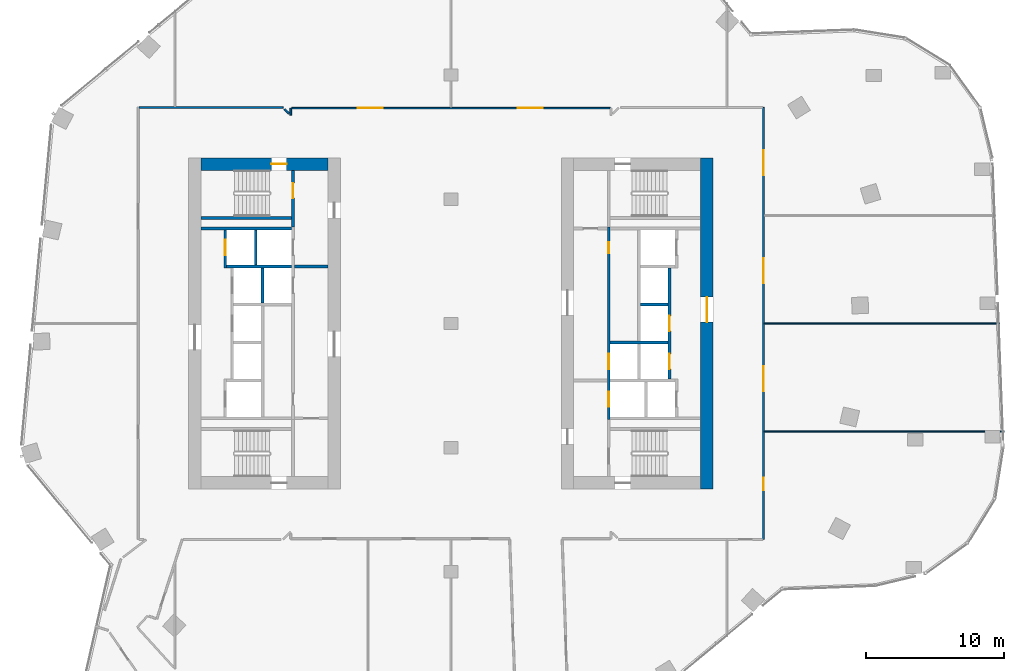
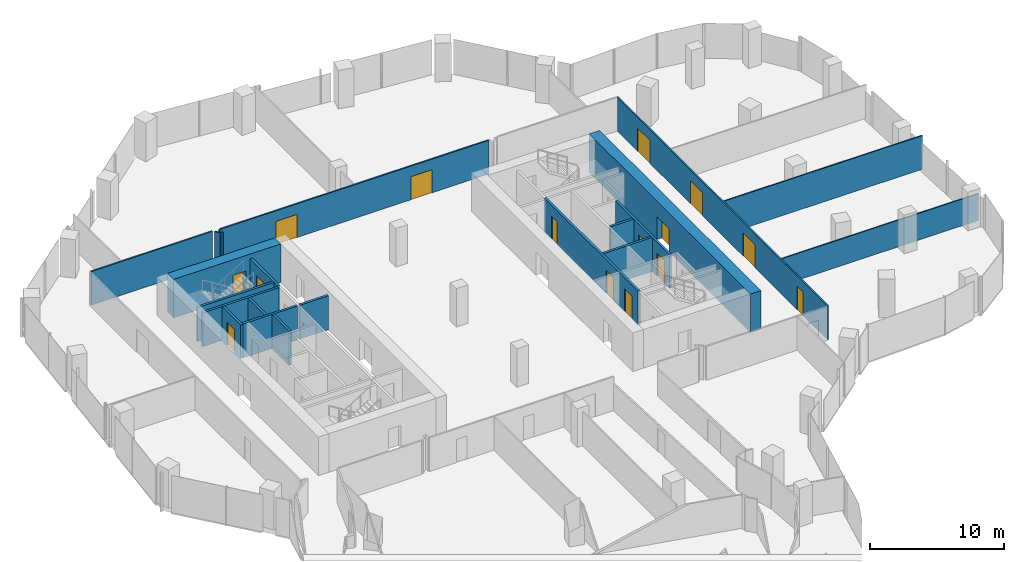
# One storey, part 21 of 23: 21 walls, 15 doors, 15 openings.
"""IFC4 building model written with IfcOpenShell, lengths in metres."""

import ifcopenshell
import ifcopenshell.guid

model = None  # the IFC model being written
_history = None  # IfcOwnerHistory: only IFC2X3 demands one
_inside = {}  # id of a spatial element -> (the spatial element, [elements in it])
_under = {}  # id of a project, library or spatial element -> (it, [spatial elements below it])
_declared = {}  # id of a project -> (the project, [libraries it declares])
_typed = {}  # id of a type object -> (the type object, [elements of that type])
_made_of = {}  # id of a material, layer set ... -> (it, [elements and type objects made of it])


def new_model(schema):
    """Start an empty IFC model of exactly this schema.

    Asked for "IFC4X3", IfcOpenShell would pick the latest addendum, in which some entities
    have other attributes; the version numbers below select the first issue.
    IFC2X3 requires an IfcOwnerHistory on every rooted entity: one is made here for all.
    """
    global model, _history
    if schema == "IFC4X3":
        model = ifcopenshell.file(schema_version=(4, 3, 0, 0))
    else:
        model = ifcopenshell.file(schema=schema)
    _inside.clear()
    _under.clear()
    _declared.clear()
    _typed.clear()
    _made_of.clear()
    _history = None
    if model.schema == "IFC2X3":
        org = make("IfcOrganization", Name="unknown")
        user = make(
            "IfcPersonAndOrganization",
            ThePerson=make("IfcPerson", FamilyName="unknown"),
            TheOrganization=org,
        )
        app = make(
            "IfcApplication",
            ApplicationDeveloper=org,
            Version="unknown",
            ApplicationFullName="unknown",
            ApplicationIdentifier="unknown",
        )
        _history = make(
            "IfcOwnerHistory",
            OwningUser=user,
            OwningApplication=app,
            ChangeAction="ADDED",
            CreationDate=0,
        )
    return model


def make(cls, **values):
    """One entity of the class cls with the attributes given. An attribute that is None is left unset."""
    return model.create_entity(
        cls, **{name: value for name, value in values.items() if value is not None}
    )


def rooted(cls, **values):
    """An entity with a GlobalId (a new one), such as an element, a storey or a relation."""
    return make(cls, GlobalId=ifcopenshell.guid.new(), OwnerHistory=_history, **values)


def si_unit(unit_type, name, prefix=None):
    """IfcSIUnit, for example si_unit("LENGTHUNIT", "METRE", prefix="MILLI")."""
    return make("IfcSIUnit", UnitType=unit_type, Prefix=prefix, Name=name)


def assignment(units):
    """IfcUnitAssignment: the units of a project."""
    return None if units is None else make("IfcUnitAssignment", Units=units)


def point(xyz):
    """IfcCartesianPoint."""
    return None if xyz is None else make("IfcCartesianPoint", Coordinates=xyz)


def direction(xyz):
    """IfcDirection."""
    return None if xyz is None else make("IfcDirection", DirectionRatios=xyz)


def frame(location, z_axis=None, x_axis=None):
    """IfcAxis2Placement3D, a coordinate frame: its origin and axes. An axis left out is left unset."""
    return make(
        "IfcAxis2Placement3D",
        Location=point(location),
        Axis=direction(z_axis),
        RefDirection=direction(x_axis),
    )


def frame_2d(location, x_axis=None):
    """IfcAxis2Placement2D, a coordinate frame in the plane: its origin and x axis."""
    return make(
        "IfcAxis2Placement2D", Location=point(location), RefDirection=direction(x_axis)
    )


def origin():
    """The frame at (0, 0, 0) with its axes left unset."""
    return frame((0.0, 0.0, 0.0))


def place(relative_to, where):
    """IfcLocalPlacement: puts the frame where relative to a parent placement (None: the world)."""
    return make(
        "IfcLocalPlacement", PlacementRelTo=relative_to, RelativePlacement=where
    )


def context(
    kind, dimensions, precision=None, world=None, true_north=None, identifier=None
):
    """IfcGeometricRepresentationContext, for example the 3D "Model" context."""
    return make(
        "IfcGeometricRepresentationContext",
        ContextIdentifier=identifier,
        ContextType=kind,
        CoordinateSpaceDimension=dimensions,
        Precision=precision,
        WorldCoordinateSystem=world,
        TrueNorth=true_north,
    )


def subcontext(parent, identifier, kind, view, scale=None):
    """IfcGeometricRepresentationSubContext, for example "Body" below "Model"."""
    return make(
        "IfcGeometricRepresentationSubContext",
        ContextIdentifier=identifier,
        ContextType=kind,
        ParentContext=parent,
        TargetScale=scale,
        TargetView=view,
    )


def project(units=None, contexts=None):
    """IfcProject with its units and contexts."""
    return rooted(
        "IfcProject",
        Name="project",
        RepresentationContexts=contexts,
        UnitsInContext=assignment(units),
    )


def spatial(cls, under=None, at=None, **own):
    """A site, building, storey or space (cls), placed at a placement, below another one or the project."""
    s = rooted(cls, ObjectPlacement=at, **own)
    if under is not None:
        _under.setdefault(under.id(), (under, []))[1].append(s)
    return s


def profile(cls, at=None, kind="AREA", **sizes):
    """A parametric profile (cls). Its sizes go by their IFC names, for example OverallWidth=200.0."""
    return make(cls, ProfileType=kind, Position=at, **sizes)


def rectangle(**sizes):
    """IfcRectangleProfileDef."""
    return profile("IfcRectangleProfileDef", **sizes)


def extrude(swept, where, along, depth):
    """IfcExtrudedAreaSolid: the profile swept, set in the frame where, extruded along a direction by depth."""
    return make(
        "IfcExtrudedAreaSolid",
        SweptArea=swept,
        Position=where,
        ExtrudedDirection=direction(along),
        Depth=depth,
    )


def shape(context_of_items, identifier, shape_type, items):
    """IfcShapeRepresentation: the items that make up one representation, for example the "Body"."""
    return make(
        "IfcShapeRepresentation",
        ContextOfItems=context_of_items,
        RepresentationIdentifier=identifier,
        RepresentationType=shape_type,
        Items=items,
    )


def material(Name=None, Category=None):
    """IfcMaterial."""
    return make("IfcMaterial", Name=Name, Category=Category)


def layer(
    of_material, thickness, ventilated=None, Name=None, Category=None, Priority=None
):
    """IfcMaterialLayer: one layer of a wall or slab, of a material (None: an air gap)."""
    return make(
        "IfcMaterialLayer",
        Material=of_material,
        LayerThickness=thickness,
        IsVentilated=ventilated,
        Name=Name,
        Category=Category,
        Priority=Priority,
    )


def layer_set(layers, Name=None):
    """IfcMaterialLayerSet."""
    return make("IfcMaterialLayerSet", MaterialLayers=layers, LayerSetName=Name)


def made_of(thing, what):
    """Note that an element or type object is made of a material, layer set ...; save() writes the relation."""
    if what is not None:
        _made_of.setdefault(what.id(), (what, []))[1].append(thing)
    return thing


def type_object(cls, material=None, **own):
    """A type object (cls), such as IfcWallType, which elements share."""
    return made_of(rooted(cls, **own), material)


def element(
    cls,
    number,
    at=None,
    inside=None,
    cuts=None,
    type_object=None,
    material=None,
    context=None,
    identifier="Body",
    shape_type=None,
    held_by="IfcProductDefinitionShape",
    body=None,
    shapes=None,
    **own,
):
    """One element of the class cls, such as IfcWall. Its Tag is "e" and its number.

    at: its placement. inside: the storey or other place that contains it. cuts: it is an
    opening in that element (IfcRelVoidsElement). A single representation is given by context,
    identifier, shape_type and body (its items); several are given by shapes. held_by: the class
    of the entity that holds the representations. save() writes the other relations.
    """
    e = rooted(cls, Tag="e%d" % number, ObjectPlacement=at, **own)
    if body is not None:
        shapes = [shape(context, identifier, shape_type, body)]
    if shapes is not None:
        e.Representation = make(held_by, Representations=shapes)
    if inside is not None:
        _inside.setdefault(inside.id(), (inside, []))[1].append(e)
    if cuts is not None:
        rooted(
            "IfcRelVoidsElement", RelatingBuildingElement=cuts, RelatedOpeningElement=e
        )
    if type_object is not None:
        _typed.setdefault(type_object.id(), (type_object, []))[1].append(e)
    return made_of(e, material)


def fill(opening, filler):
    """IfcRelFillsElement: the door or window that sits in an opening."""
    return rooted(
        "IfcRelFillsElement",
        RelatingOpeningElement=opening,
        RelatedBuildingElement=filler,
    )


def aggregate(whole, parts):
    """IfcRelAggregates: a whole, such as a stair, and the parts it consists of."""
    return rooted("IfcRelAggregates", RelatingObject=whole, RelatedObjects=parts)


def save(model, path):
    """Write the relations noted so far, then the file.

    IfcRelAggregates (storeys below a building ...), IfcRelContainedInSpatialStructure (elements
    in a storey), IfcRelDefinesByType, IfcRelAssociatesMaterial and IfcRelDeclares: one each for
    every whole, place, type object, material and project.
    """
    for whole, parts in _under.values():
        aggregate(whole, parts)
    for where, things in _inside.values():
        rooted(
            "IfcRelContainedInSpatialStructure",
            RelatedElements=things,
            RelatingStructure=where,
        )
    for kind, things in _typed.values():
        rooted("IfcRelDefinesByType", RelatedObjects=things, RelatingType=kind)
    for what, things in _made_of.values():
        rooted("IfcRelAssociatesMaterial", RelatedObjects=things, RelatingMaterial=what)
    for by, libraries in _declared.values():
        rooted("IfcRelDeclares", RelatingContext=by, RelatedDefinitions=libraries)
    model.write(path)


model = new_model("IFC4")

# Units and contexts
model_context = context("Model", 3, precision=1e-05, world=origin(), true_north=direction((0.0, 1.0)))
body_context = subcontext(model_context, "Body", "Model", "MODEL_VIEW")
ifc_project = project(units=[si_unit("LENGTHUNIT", "METRE"), si_unit("AREAUNIT", "SQUARE_METRE"), si_unit("VOLUMEUNIT", "CUBIC_METRE"), si_unit("PLANEANGLEUNIT", "RADIAN"), si_unit("MASSUNIT", "GRAM", prefix="KILO")], contexts=[model_context])

# Site, building, storey
site_placement = place(None, origin())
site = spatial("IfcSite", under=ifc_project, at=site_placement, CompositionType="ELEMENT")
building_placement = place(site_placement, origin())
building = spatial("IfcBuilding", under=site, at=building_placement, Name="Orlundy Tower", CompositionType="ELEMENT")
storey_placement = place(building_placement, frame((0.0, 0.0, 181.10009765625)))
storey = spatial("IfcBuildingStorey", under=building, at=storey_placement, Name="L47", CompositionType="ELEMENT", Elevation=181.10009765625)

# Wall, opening, door
ifc_material_1 = material(Name="Concrete C70/85", Category="concrete")
ifc_layer_1 = layer(ifc_material_1, 0.89990234375)
ifc_layer_set_1 = layer_set([ifc_layer_1], Name="CORE WALL 900 C70/85")
wall_type_1 = type_object("IfcWallType", Name="CORE WALL 900 C70/85", PredefinedType="SHEAR", material=ifc_layer_set_1)
wall_1_placement = place(storey_placement, frame((-18.10009765625, 11.550048828125, 0.0), z_axis=(0.0, 0.0, 1.0), x_axis=(1.0, 0.0, 0.0)))
wall_1 = element("IfcWall", 1, at=wall_1_placement, inside=storey, type_object=wall_type_1, Name="Core wall W-N L47", PredefinedType="SHEAR", context=body_context, shape_type="SweptSolid", body=[
    extrude(rectangle(XDim=9.2001953125, YDim=0.89990234375, at=frame_2d((4.60009765625, 0.0))), origin(), (0.0, 0.0, 1.0), 3.5),
])
opening_1_placement = place(wall_1_placement, frame((5.10009765625, 0.0, 0.0)))
opening_1 = element("IfcOpeningElement", 2, at=opening_1_placement, cuts=wall_1, Name="Opening 36011", PredefinedType="OPENING", context=body_context, shape_type="SweptSolid", body=[
    extrude(rectangle(XDim=1.10009765625, YDim=2.10009765625, at=frame_2d((0.550048828125, 1.050048828125))), frame((0.0, 0.4599609375, 0.0), z_axis=(0.0, -1.0, 0.0), x_axis=(1.0, 0.0, 0.0)), (0.0, 0.0, 1.0), 0.919921875),
])
ifc_material_2 = material(Name="Steel door set", Category="steel")
door_type_1 = type_object("IfcDoorType", Name="Stair Door 1100x2100", OperationType="SINGLE_SWING_LEFT", PredefinedType="DOOR", material=ifc_material_2)
door_1_placement = place(opening_1_placement, origin())
door_1 = element("IfcDoor", 3, at=door_1_placement, inside=storey, type_object=door_type_1, Name="Stair door 36011", OperationType="SINGLE_SWING_RIGHT", OverallHeight=2.10009765625, OverallWidth=1.10009765625, PredefinedType="DOOR", context=body_context, shape_type="SweptSolid", body=[
    extrude(rectangle(XDim=1.10009765625, YDim=2.10009765625, at=frame_2d((0.550048828125, 1.050048828125))), frame((0.0, 0.02490234375, 0.0), z_axis=(0.0, -1.0, 0.0), x_axis=(1.0, 0.0, 0.0)), (0.0, 0.0, 1.0), 0.050048828125),
])
fill(opening_1, door_1)

wall_2_placement = place(storey_placement, frame((18.550048828125, -12.0, 0.0), z_axis=(0.0, 0.0, 1.0), x_axis=(0.0, 1.0, 0.0)))
wall_2 = element("IfcWall", 4, at=wall_2_placement, inside=storey, type_object=wall_type_1, Name="Core wall E-E L47", PredefinedType="SHEAR", context=body_context, shape_type="SweptSolid", body=[
    extrude(rectangle(XDim=24.0, YDim=0.89990234375, at=frame_2d((12.0, 0.0))), origin(), (0.0, 0.0, 1.0), 3.5),
])
opening_2_placement = place(wall_2_placement, frame((12.10009765625, 0.0, 0.0)))
opening_2 = element("IfcOpeningElement", 5, at=opening_2_placement, cuts=wall_2, Name="Opening 36058", PredefinedType="OPENING", context=body_context, shape_type="SweptSolid", body=[
    extrude(rectangle(XDim=1.800048828125, YDim=2.10009765625, at=frame_2d((0.89990234375, 1.050048828125))), frame((0.0, 0.4599609375, 0.0), z_axis=(0.0, -1.0, 0.0), x_axis=(1.0, 0.0, 0.0)), (0.0, 0.0, 1.0), 0.919921875),
])
ifc_material_3 = material(Name="Timber door set", Category="wood")
door_type_2 = type_object("IfcDoorType", Name="Lobby Door 1800x2100", OperationType="DOUBLE_DOOR_DOUBLE_SWING", PredefinedType="DOOR", material=ifc_material_3)
door_2_placement = place(opening_2_placement, origin())
door_2 = element("IfcDoor", 6, at=door_2_placement, inside=storey, type_object=door_type_2, Name="Lift lobby door 36058", OperationType="SINGLE_SWING_RIGHT", OverallHeight=2.10009765625, OverallWidth=1.800048828125, PredefinedType="DOOR", context=body_context, shape_type="SweptSolid", body=[
    extrude(rectangle(XDim=1.800048828125, YDim=2.10009765625, at=frame_2d((0.89990234375, 1.050048828125))), frame((0.0, 0.02490234375, 0.0), z_axis=(0.0, -1.0, 0.0), x_axis=(1.0, 0.0, 0.0)), (0.0, 0.0, 1.0), 0.050048828125),
])
fill(opening_2, door_2)

# Walls
ifc_material_4 = material(Name="Gypsum board partition")
ifc_layer_2 = layer(ifc_material_4, 0.10009765625)
ifc_layer_set_2 = layer_set([ifc_layer_2], Name="Floor partition 100")
wall_type_2 = type_object("IfcWallType", Name="Floor partition 100", PredefinedType="PARTITIONING", material=ifc_layer_set_2)
wall_3_placement = place(storey_placement, frame((22.712890625, 0.0, 0.0), z_axis=(0.0, 0.0, 1.0), x_axis=(1.0, 0.0, 0.0)))
element("IfcWall", 7, at=wall_3_placement, inside=storey, type_object=wall_type_2, Name="wall-int-L47-049", PredefinedType="PARTITIONING", context=body_context, shape_type="SweptSolid", body=[
    extrude(rectangle(XDim=17.066162109375, YDim=0.10009765625, at=frame_2d((8.533203125, 0.0))), origin(), (0.0, 0.0, 1.0), 3.059814453125),
])
ifc_material_5 = material(Name="Gypsum board partition")
ifc_layer_3 = layer(ifc_material_5, 0.10009765625)
ifc_layer_set_3 = layer_set([ifc_layer_3], Name="Floor partition 100 B")
wall_type_3 = type_object("IfcWallType", Name="Floor partition 100 B", PredefinedType="PARTITIONING", material=ifc_layer_set_3)
wall_4_placement = place(storey_placement, frame((22.712890625, -7.823974609375, 0.0), z_axis=(0.0, 0.0, 1.0), x_axis=(1.0, 0.0, 0.0)))
element("IfcWall", 8, at=wall_4_placement, inside=storey, type_object=wall_type_3, Name="wall-int-L47-047", PredefinedType="PARTITIONING", context=body_context, shape_type="SweptSolid", body=[
    extrude(rectangle(XDim=17.362060546875, YDim=0.10009765625, at=frame_2d((8.68115234375, 0.0))), origin(), (0.0, 0.0, 1.0), 2.4248046875),
])
ifc_material_6 = material(Name="Gypsum board partition, double layer")
ifc_layer_4 = layer(ifc_material_6, 0.125)
ifc_layer_set_4 = layer_set([ifc_layer_4], Name="Floor partition 125")
wall_type_4 = type_object("IfcWallType", Name="Floor partition 125", PredefinedType="PARTITIONING", material=ifc_layer_set_4)
wall_5_placement = place(storey_placement, frame((-12.0458984375, 15.52294921875, 0.0), z_axis=(0.0, 0.0, 1.0), x_axis=(0.707106781187, -0.707106781187, 0.0)))
element("IfcWall", 9, at=wall_5_placement, inside=storey, type_object=wall_type_4, Name="wall-int-L47-012", PredefinedType="PARTITIONING", context=body_context, shape_type="SweptSolid", body=[
    extrude(rectangle(XDim=0.4482421875, YDim=0.125, at=frame_2d((0.22412109375, 0.0))), origin(), (0.0, 0.0, 1.0), 3.059814453125),
])

# Wall, openings, doors
wall_6_placement = place(storey_placement, frame((-11.537109375, 15.60107421875, 0.0), z_axis=(0.0, 0.0, 1.0), x_axis=(1.0, 0.0, 0.0)))
wall_6 = element("IfcWall", 10, at=wall_6_placement, inside=storey, type_object=wall_type_4, Name="wall-int-L47-051", PredefinedType="PARTITIONING", context=body_context, shape_type="SweptSolid", body=[
    extrude(rectangle(XDim=23.07421875, YDim=0.125, at=frame_2d((11.537109375, 0.0))), origin(), (0.0, 0.0, 1.0), 3.059814453125),
])
opening_3_placement = place(wall_6_placement, frame((16.387451171875, 0.0, 0.0)))
opening_3 = element("IfcOpeningElement", 11, at=opening_3_placement, cuts=wall_6, Name="Opening 36123", PredefinedType="OPENING", context=body_context, shape_type="SweptSolid", body=[
    extrude(rectangle(XDim=1.800048828125, YDim=2.10009765625, at=frame_2d((0.89990234375, 1.050048828125))), frame((0.0, 0.072509765625, 0.0), z_axis=(0.0, -1.0, 0.0), x_axis=(1.0, 0.0, 0.0)), (0.0, 0.0, 1.0), 0.14501953125),
])
opening_4_placement = place(wall_6_placement, frame((4.78759765625, 0.0, 0.0)))
opening_4 = element("IfcOpeningElement", 12, at=opening_4_placement, cuts=wall_6, Name="Opening 36124", PredefinedType="OPENING", context=body_context, shape_type="SweptSolid", body=[
    extrude(rectangle(XDim=1.800048828125, YDim=2.10009765625, at=frame_2d((0.89990234375, 1.050048828125))), frame((0.0, 0.072509765625, 0.0), z_axis=(0.0, -1.0, 0.0), x_axis=(1.0, 0.0, 0.0)), (0.0, 0.0, 1.0), 0.14501953125),
])
ifc_material_7 = material(Name="Timber door leaf", Category="wood")
door_type_3 = type_object("IfcDoorType", Name="Floor door double 1800 FD30S", OperationType="NOTDEFINED", PredefinedType="DOOR", material=ifc_material_7)
door_3_placement = place(opening_3_placement, origin())
door_3 = element("IfcDoor", 13, at=door_3_placement, inside=storey, type_object=door_type_3, Name="Door 36123", OperationType="DOUBLE_DOOR_SINGLE_SWING", OverallHeight=2.10009765625, OverallWidth=1.800048828125, PredefinedType="DOOR", context=body_context, shape_type="SweptSolid", body=[
    extrude(rectangle(XDim=1.800048828125, YDim=2.10009765625, at=frame_2d((0.89990234375, 1.050048828125))), frame((0.0, 0.02490234375, 0.0), z_axis=(0.0, -1.0, 0.0), x_axis=(1.0, 0.0, 0.0)), (0.0, 0.0, 1.0), 0.050048828125),
])
fill(opening_3, door_3)
door_4_placement = place(opening_4_placement, origin())
door_4 = element("IfcDoor", 14, at=door_4_placement, inside=storey, type_object=door_type_3, Name="Door 36124", OperationType="DOUBLE_DOOR_SINGLE_SWING", OverallHeight=2.10009765625, OverallWidth=1.800048828125, PredefinedType="DOOR", context=body_context, shape_type="SweptSolid", body=[
    extrude(rectangle(XDim=1.800048828125, YDim=2.10009765625, at=frame_2d((0.89990234375, 1.050048828125))), frame((0.0, 0.02490234375, 0.0), z_axis=(0.0, -1.0, 0.0), x_axis=(1.0, 0.0, 0.0)), (0.0, 0.0, 1.0), 0.050048828125),
])
fill(opening_4, door_4)

# Walls
wall_7_placement = place(storey_placement, frame((-22.5869140625, 15.65087890625, 0.0), z_axis=(0.0, 0.0, 1.0), x_axis=(1.0, 0.0, 0.0)))
element("IfcWall", 15, at=wall_7_placement, inside=storey, type_object=wall_type_4, Name="wall-int-L47-052", PredefinedType="PARTITIONING", context=body_context, shape_type="SweptSolid", body=[
    extrude(rectangle(XDim=10.426025390625, YDim=0.125, at=frame_2d((5.212890625, 0.0))), origin(), (0.0, 0.0, 1.0), 3.059814453125),
])
wall_8_placement = place(storey_placement, frame((-11.60107421875, 15.092041015625, 0.0), z_axis=(0.0, 0.0, 1.0), x_axis=(0.00192214926, 0.999998152669, 0.0)))
element("IfcWall", 16, at=wall_8_placement, inside=storey, type_object=wall_type_4, Name="wall-int-L47-080", PredefinedType="PARTITIONING", context=body_context, shape_type="SweptSolid", body=[
    extrude(rectangle(XDim=0.508056640625, YDim=0.125, at=frame_2d((0.25390625, 0.0))), origin(), (0.0, 0.0, 1.0), 3.059814453125),
])

# Wall, openings, doors
wall_9_placement = place(storey_placement, frame((22.65087890625, 15.64990234375, 0.0), z_axis=(0.0, 0.0, 1.0), x_axis=(0.0, -1.0, 0.0)))
wall_9 = element("IfcWall", 17, at=wall_9_placement, inside=storey, type_object=wall_type_4, Name="wall-int-L47-081", PredefinedType="PARTITIONING", context=body_context, shape_type="SweptSolid", body=[
    extrude(rectangle(XDim=31.2998046875, YDim=0.125, at=frame_2d((15.64990234375, 0.0))), origin(), (0.0, 0.0, 1.0), 3.059814453125),
])
opening_5_placement = place(wall_9_placement, frame((26.823974609375, 0.0, 0.0)))
opening_5 = element("IfcOpeningElement", 18, at=opening_5_placement, cuts=wall_9, Name="Opening 36119", PredefinedType="OPENING", context=body_context, shape_type="SweptSolid", body=[
    extrude(rectangle(XDim=0.89990234375, YDim=2.10009765625, at=frame_2d((0.449951171875, 1.050048828125))), frame((0.0, 0.072509765625, 0.0), z_axis=(0.0, -1.0, 0.0), x_axis=(1.0, 0.0, 0.0)), (0.0, 0.0, 1.0), 0.14501953125),
])
opening_6_placement = place(wall_9_placement, frame((18.75, 0.0, 0.0)))
opening_6 = element("IfcOpeningElement", 19, at=opening_6_placement, cuts=wall_9, Name="Opening 36120", PredefinedType="OPENING", context=body_context, shape_type="SweptSolid", body=[
    extrude(rectangle(XDim=1.800048828125, YDim=2.10009765625, at=frame_2d((0.89990234375, 1.050048828125))), frame((0.0, 0.072509765625, 0.0), z_axis=(0.0, -1.0, 0.0), x_axis=(1.0, 0.0, 0.0)), (0.0, 0.0, 1.0), 0.14501953125),
])
opening_7_placement = place(wall_9_placement, frame((10.925048828125, 0.0, 0.0)))
opening_7 = element("IfcOpeningElement", 20, at=opening_7_placement, cuts=wall_9, Name="Opening 36121", PredefinedType="OPENING", context=body_context, shape_type="SweptSolid", body=[
    extrude(rectangle(XDim=1.800048828125, YDim=2.10009765625, at=frame_2d((0.89990234375, 1.050048828125))), frame((0.0, 0.072509765625, 0.0), z_axis=(0.0, -1.0, 0.0), x_axis=(1.0, 0.0, 0.0)), (0.0, 0.0, 1.0), 0.14501953125),
])
opening_8_placement = place(wall_9_placement, frame((3.10009765625, 0.0, 0.0)))
opening_8 = element("IfcOpeningElement", 21, at=opening_8_placement, cuts=wall_9, Name="Opening 36122", PredefinedType="OPENING", context=body_context, shape_type="SweptSolid", body=[
    extrude(rectangle(XDim=1.800048828125, YDim=2.10009765625, at=frame_2d((0.89990234375, 1.050048828125))), frame((0.0, 0.072509765625, 0.0), z_axis=(0.0, -1.0, 0.0), x_axis=(1.0, 0.0, 0.0)), (0.0, 0.0, 1.0), 0.14501953125),
])
door_5_placement = place(opening_6_placement, origin())
door_5 = element("IfcDoor", 22, at=door_5_placement, inside=storey, type_object=door_type_3, Name="Door 36120", OperationType="DOUBLE_DOOR_SINGLE_SWING", OverallHeight=2.10009765625, OverallWidth=1.800048828125, PredefinedType="DOOR", context=body_context, shape_type="SweptSolid", body=[
    extrude(rectangle(XDim=1.800048828125, YDim=2.10009765625, at=frame_2d((0.89990234375, 1.050048828125))), frame((0.0, 0.02490234375, 0.0), z_axis=(0.0, -1.0, 0.0), x_axis=(1.0, 0.0, 0.0)), (0.0, 0.0, 1.0), 0.050048828125),
])
fill(opening_6, door_5)
door_6_placement = place(opening_7_placement, origin())
door_6 = element("IfcDoor", 23, at=door_6_placement, inside=storey, type_object=door_type_3, Name="Door 36121", OperationType="DOUBLE_DOOR_SINGLE_SWING", OverallHeight=2.10009765625, OverallWidth=1.800048828125, PredefinedType="DOOR", context=body_context, shape_type="SweptSolid", body=[
    extrude(rectangle(XDim=1.800048828125, YDim=2.10009765625, at=frame_2d((0.89990234375, 1.050048828125))), frame((0.0, 0.02490234375, 0.0), z_axis=(0.0, -1.0, 0.0), x_axis=(1.0, 0.0, 0.0)), (0.0, 0.0, 1.0), 0.050048828125),
])
fill(opening_7, door_6)
door_7_placement = place(opening_8_placement, origin())
door_7 = element("IfcDoor", 24, at=door_7_placement, inside=storey, type_object=door_type_3, Name="Door 36122", OperationType="DOUBLE_DOOR_SINGLE_SWING", OverallHeight=2.10009765625, OverallWidth=1.800048828125, PredefinedType="DOOR", context=body_context, shape_type="SweptSolid", body=[
    extrude(rectangle(XDim=1.800048828125, YDim=2.10009765625, at=frame_2d((0.89990234375, 1.050048828125))), frame((0.0, 0.02490234375, 0.0), z_axis=(0.0, -1.0, 0.0), x_axis=(1.0, 0.0, 0.0)), (0.0, 0.0, 1.0), 0.050048828125),
])
fill(opening_8, door_7)
ifc_material_8 = material(Name="Timber door leaf", Category="wood")
door_type_4 = type_object("IfcDoorType", Name="Floor door single 900 FD30S", OperationType="NOTDEFINED", PredefinedType="DOOR", material=ifc_material_8)
door_8_placement = place(opening_5_placement, origin())
door_8 = element("IfcDoor", 25, at=door_8_placement, inside=storey, type_object=door_type_4, Name="Door 36119", OperationType="SINGLE_SWING_RIGHT", OverallHeight=2.10009765625, OverallWidth=0.89990234375, PredefinedType="DOOR", context=body_context, shape_type="SweptSolid", body=[
    extrude(rectangle(XDim=0.89990234375, YDim=2.10009765625, at=frame_2d((0.449951171875, 1.050048828125))), frame((0.0, 0.02490234375, 0.0), z_axis=(0.0, -1.0, 0.0), x_axis=(1.0, 0.0, 0.0)), (0.0, 0.0, 1.0), 0.050048828125),
])
fill(opening_5, door_8)

# Wall, opening, door
ifc_material_9 = material(Name="Concrete C40/50", Category="concrete")
ifc_layer_5 = layer(ifc_material_9, 0.199951171875)
ifc_layer_set_5 = layer_set([ifc_layer_5], Name="Load-bearing Shaft Wall 200")
wall_type_5 = type_object("IfcWallType", Name="Load-bearing Shaft Wall 200", PredefinedType="SOLIDWALL", material=ifc_layer_set_5)
wall_10_placement = place(storey_placement, frame((-11.43994140625, 6.97509765625, 0.0), z_axis=(0.0, 0.0, 1.0), x_axis=(0.0, 1.0, 0.0)))
wall_10 = element("IfcWall", 26, at=wall_10_placement, inside=storey, type_object=wall_type_5, Name="Shaft wall W36-stair-end-n", PredefinedType="SOLIDWALL", context=body_context, shape_type="SweptSolid", body=[
    extrude(rectangle(XDim=4.125, YDim=0.199951171875, at=frame_2d((2.0625, 0.0))), origin(), (0.0, 0.0, 1.0), 3.079833984375),
])
opening_9_placement = place(wall_10_placement, frame((2.10009765625, 0.0, 0.0)))
opening_9 = element("IfcOpeningElement", 27, at=opening_9_placement, cuts=wall_10, Name="Opening 36013", PredefinedType="OPENING", context=body_context, shape_type="SweptSolid", body=[
    extrude(rectangle(XDim=1.10009765625, YDim=2.10009765625, at=frame_2d((0.550048828125, 1.050048828125))), frame((0.0, 0.110107421875, 0.0), z_axis=(0.0, -1.0, 0.0), x_axis=(1.0, 0.0, 0.0)), (0.0, 0.0, 1.0), 0.22021484375),
])
ifc_material_10 = material(Name="Steel door set", Category="steel")
door_type_5 = type_object("IfcDoorType", Name="Fire-fighting Lobby Door 1100x2100", OperationType="SINGLE_SWING_LEFT", PredefinedType="DOOR", material=ifc_material_10)
door_9_placement = place(opening_9_placement, origin())
door_9 = element("IfcDoor", 28, at=door_9_placement, inside=storey, type_object=door_type_5, Name="Fire-fighting lobby to stair door 36013", OperationType="SINGLE_SWING_RIGHT", OverallHeight=2.10009765625, OverallWidth=1.10009765625, PredefinedType="DOOR", context=body_context, shape_type="SweptSolid", body=[
    extrude(rectangle(XDim=1.10009765625, YDim=2.10009765625, at=frame_2d((0.550048828125, 1.050048828125))), frame((0.0, 0.02490234375, 0.0), z_axis=(0.0, -1.0, 0.0), x_axis=(1.0, 0.0, 0.0)), (0.0, 0.0, 1.0), 0.050048828125),
])
fill(opening_9, door_9)

# Walls
wall_11_placement = place(storey_placement, frame((-11.5400390625, 7.64990234375, 0.0), z_axis=(0.0, 0.0, 1.0), x_axis=(-1.0, 0.0, 0.0)))
element("IfcWall", 29, at=wall_11_placement, inside=storey, type_object=wall_type_5, Name="Shaft wall W36-stair-side-n", PredefinedType="SOLIDWALL", context=body_context, shape_type="SweptSolid", body=[
    extrude(rectangle(XDim=6.56005859375, YDim=0.199951171875, at=frame_2d((3.280029296875, 0.0))), origin(), (0.0, 0.0, 1.0), 3.079833984375),
])
ifc_material_11 = material(Name="Gypsum board partition on steel studs", Category="steel")
ifc_layer_6 = layer(ifc_material_11, 0.199951171875)
ifc_layer_set_6 = layer_set([ifc_layer_6], Name="Partition 200")
wall_type_6 = type_object("IfcWallType", Name="Partition 200", PredefinedType="PARTITIONING", material=ifc_layer_set_6)
wall_12_placement = place(storey_placement, frame((-8.89990234375, 4.125, 0.0), z_axis=(0.0, 0.0, 1.0), x_axis=(-1.0, 0.0, 0.0)))
element("IfcWall", 30, at=wall_12_placement, inside=storey, type_object=wall_type_6, Name="Partition wall W36-lobby-n", PredefinedType="PARTITIONING", context=body_context, shape_type="SweptSolid", body=[
    extrude(rectangle(XDim=2.440185546875, YDim=0.199951171875, at=frame_2d((1.22021484375, 0.0))), origin(), (0.0, 0.0, 1.0), 3.079833984375),
])
ifc_material_12 = material(Name="Fire-rated blockwork shaft wall", Category="masonry")
ifc_layer_7 = layer(ifc_material_12, 0.199951171875)
ifc_layer_set_7 = layer_set([ifc_layer_7], Name="Shaft Wall 200")
wall_type_7 = type_object("IfcWallType", Name="Shaft Wall 200", PredefinedType="SOLIDWALL", material=ifc_layer_set_7)
wall_13_placement = place(storey_placement, frame((-11.5400390625, 6.875, 0.0), z_axis=(0.0, 0.0, 1.0), x_axis=(-1.0, 0.0, 0.0)))
element("IfcWall", 31, at=wall_13_placement, inside=storey, type_object=wall_type_7, Name="Shaft wall W36-zone-n", PredefinedType="SOLIDWALL", context=body_context, shape_type="SweptSolid", body=[
    extrude(rectangle(XDim=6.56005859375, YDim=0.199951171875, at=frame_2d((3.280029296875, 0.0))), origin(), (0.0, 0.0, 1.0), 3.079833984375),
])
wall_14_placement = place(storey_placement, frame((-11.5400390625, 4.125, 0.0), z_axis=(0.0, 0.0, 1.0), x_axis=(-1.0, 0.0, 0.0)))
element("IfcWall", 32, at=wall_14_placement, inside=storey, type_object=wall_type_7, Name="Shaft wall W36-cross+4.125", PredefinedType="SOLIDWALL", context=body_context, shape_type="SweptSolid", body=[
    extrude(rectangle(XDim=4.699951171875, YDim=0.199951171875, at=frame_2d((2.35009765625, 0.0))), origin(), (0.0, 0.0, 1.0), 3.079833984375),
])
for number, where, z_axis, x_axis, name in (
    (33, (-13.639892578125, 1.47509765625, 0.0), (0.0, 0.0, 1.0), (0.0, 1.0, 0.0), "Shaft wall W36-mid-a.1"),
    (34, (-14.139892578125, 4.22509765625, 0.0), (0.0, 0.0, 1.0), (0.0, 1.0, 0.0), "Shaft wall W36-mid-b"),
):
    element("IfcWall", number, at=place(storey_placement, frame(where, z_axis=z_axis, x_axis=x_axis)), inside=storey, type_object=wall_type_7, Name=name, PredefinedType="SOLIDWALL", context=body_context, shape_type="SweptSolid", body=[
        extrude(rectangle(XDim=2.5498046875, YDim=0.199951171875, at=frame_2d((1.27490234375, 0.0))), origin(), (0.0, 0.0, 1.0), 3.079833984375),
    ])

# Wall, opening, door
wall_15_placement = place(storey_placement, frame((-16.340087890625, 4.02490234375, 0.0), z_axis=(0.0, 0.0, 1.0), x_axis=(0.0, 1.0, 0.0)))
wall_15 = element("IfcWall", 35, at=wall_15_placement, inside=storey, type_object=wall_type_7, Name="Shaft wall W36-front-o-c", PredefinedType="SOLIDWALL", context=body_context, shape_type="SweptSolid", body=[
    extrude(rectangle(XDim=2.75, YDim=0.199951171875, at=frame_2d((1.375, 0.0))), origin(), (0.0, 0.0, 1.0), 3.079833984375),
])
opening_10_placement = place(wall_15_placement, frame((0.925048828125, 0.0, 0.0)))
opening_10 = element("IfcOpeningElement", 36, at=opening_10_placement, cuts=wall_15, Name="Opening 36006", PredefinedType="OPENING", context=body_context, shape_type="SweptSolid", body=[
    extrude(rectangle(XDim=1.10009765625, YDim=2.10009765625, at=frame_2d((0.550048828125, 1.050048828125))), frame((0.0, 0.110107421875, 0.0), z_axis=(0.0, -1.0, 0.0), x_axis=(1.0, 0.0, 0.0)), (0.0, 0.0, 1.0), 0.22021484375),
])
ifc_material_13 = material(Name="Steel door set", Category="steel")
door_type_6 = type_object("IfcDoorType", Name="Landing Door 1100x2100", OperationType="DOUBLE_DOOR_SLIDING", PredefinedType="DOOR", material=ifc_material_13)
door_10_placement = place(opening_10_placement, origin())
door_10 = element("IfcDoor", 37, at=door_10_placement, inside=storey, type_object=door_type_6, Name="Lift landing door LP-14 36006", OperationType="DOUBLE_DOOR_SLIDING", OverallHeight=2.10009765625, OverallWidth=1.10009765625, PredefinedType="DOOR", context=body_context, shape_type="SweptSolid", body=[
    extrude(rectangle(XDim=1.10009765625, YDim=2.10009765625, at=frame_2d((0.550048828125, 1.050048828125))), frame((0.0, 0.02490234375, 0.0), z_axis=(0.0, -1.0, 0.0), x_axis=(1.0, 0.0, 0.0)), (0.0, 0.0, 1.0), 0.050048828125),
])
fill(opening_10, door_10)

# Walls
wall_16_placement = place(storey_placement, frame((13.739990234375, 1.375, 0.0), z_axis=(0.0, 0.0, 1.0), x_axis=(1.0, 0.0, 0.0)))
element("IfcWall", 38, at=wall_16_placement, inside=storey, type_object=wall_type_7, Name="Shaft wall E36-cross-1.375", PredefinedType="SOLIDWALL", context=body_context, shape_type="SweptSolid", body=[
    extrude(rectangle(XDim=2.0, YDim=0.199951171875, at=frame_2d((1.0, 0.0))), origin(), (0.0, 0.0, 1.0), 3.079833984375),
])
wall_17_placement = place(storey_placement, frame((11.5400390625, -1.375, 0.0), z_axis=(0.0, 0.0, 1.0), x_axis=(1.0, 0.0, 0.0)))
element("IfcWall", 39, at=wall_17_placement, inside=storey, type_object=wall_type_7, Name="Shaft wall E36-cross+1.375", PredefinedType="SOLIDWALL", context=body_context, shape_type="SweptSolid", body=[
    extrude(rectangle(XDim=4.199951171875, YDim=0.199951171875, at=frame_2d((2.10009765625, 0.0))), origin(), (0.0, 0.0, 1.0), 3.079833984375),
])

# Wall, openings, doors
wall_18_placement = place(storey_placement, frame((11.43994140625, 6.97509765625, 0.0), z_axis=(0.0, 0.0, 1.0), x_axis=(0.0, -1.0, 0.0)))
wall_18 = element("IfcWall", 40, at=wall_18_placement, inside=storey, type_object=wall_type_7, Name="Shaft wall E36-front-h", PredefinedType="SOLIDWALL", context=body_context, shape_type="SweptSolid", body=[
    extrude(rectangle(XDim=13.9501953125, YDim=0.199951171875, at=frame_2d((6.97509765625, 0.0))), origin(), (0.0, 0.0, 1.0), 3.079833984375),
])
opening_11_placement = place(wall_18_placement, frame((9.175048828125, 0.0, 0.0)))
opening_11 = element("IfcOpeningElement", 41, at=opening_11_placement, cuts=wall_18, Name="Opening 36052", PredefinedType="OPENING", context=body_context, shape_type="SweptSolid", body=[
    extrude(rectangle(XDim=1.10009765625, YDim=2.10009765625, at=frame_2d((0.550048828125, 1.050048828125))), frame((0.0, 0.110107421875, 0.0), z_axis=(0.0, -1.0, 0.0), x_axis=(1.0, 0.0, 0.0)), (0.0, 0.0, 1.0), 0.22021484375),
])
opening_12_placement = place(wall_18_placement, frame((11.925048828125, 0.0, 0.0)))
opening_12 = element("IfcOpeningElement", 42, at=opening_12_placement, cuts=wall_18, Name="Opening 36054", PredefinedType="OPENING", context=body_context, shape_type="SweptSolid", body=[
    extrude(rectangle(XDim=1.10009765625, YDim=2.10009765625, at=frame_2d((0.550048828125, 1.050048828125))), frame((0.0, 0.110107421875, 0.0), z_axis=(0.0, -1.0, 0.0), x_axis=(1.0, 0.0, 0.0)), (0.0, 0.0, 1.0), 0.22021484375),
])
opening_13_placement = place(wall_18_placement, frame((1.074951171875, 0.0, 0.0)))
opening_13 = element("IfcOpeningElement", 43, at=opening_13_placement, cuts=wall_18, Name="Opening 36056", PredefinedType="OPENING", context=body_context, shape_type="SweptSolid", body=[
    extrude(rectangle(XDim=0.800048828125, YDim=2.10009765625, at=frame_2d((0.39990234375, 1.050048828125))), frame((0.0, 0.110107421875, 0.0), z_axis=(0.0, -1.0, 0.0), x_axis=(1.0, 0.0, 0.0)), (0.0, 0.0, 1.0), 0.22021484375),
])
door_11_placement = place(opening_11_placement, origin())
door_11 = element("IfcDoor", 44, at=door_11_placement, inside=storey, type_object=door_type_6, Name="Lift landing door LP-16 36052", OperationType="DOUBLE_DOOR_SLIDING", OverallHeight=2.10009765625, OverallWidth=1.10009765625, PredefinedType="DOOR", context=body_context, shape_type="SweptSolid", body=[
    extrude(rectangle(XDim=1.10009765625, YDim=2.10009765625, at=frame_2d((0.550048828125, 1.050048828125))), frame((0.0, 0.02490234375, 0.0), z_axis=(0.0, -1.0, 0.0), x_axis=(1.0, 0.0, 0.0)), (0.0, 0.0, 1.0), 0.050048828125),
])
fill(opening_11, door_11)
door_12_placement = place(opening_12_placement, origin())
door_12 = element("IfcDoor", 45, at=door_12_placement, inside=storey, type_object=door_type_6, Name="Lift landing door FL2 36054", OperationType="DOUBLE_DOOR_SLIDING", OverallHeight=2.10009765625, OverallWidth=1.10009765625, PredefinedType="DOOR", context=body_context, shape_type="SweptSolid", body=[
    extrude(rectangle(XDim=1.10009765625, YDim=2.10009765625, at=frame_2d((0.550048828125, 1.050048828125))), frame((0.0, 0.02490234375, 0.0), z_axis=(0.0, -1.0, 0.0), x_axis=(1.0, 0.0, 0.0)), (0.0, 0.0, 1.0), 0.050048828125),
])
fill(opening_12, door_12)
ifc_material_14 = material(Name="Timber door set", Category="wood")
door_type_7 = type_object("IfcDoorType", Name="Riser Door 800x2100", OperationType="SINGLE_SWING_LEFT", PredefinedType="DOOR", material=ifc_material_14)
door_13_placement = place(opening_13_placement, origin())
door_13 = element("IfcDoor", 46, at=door_13_placement, inside=storey, type_object=door_type_7, Name="Electrical Riser Room door 36056", OperationType="SINGLE_SWING_LEFT", OverallHeight=2.10009765625, OverallWidth=0.800048828125, PredefinedType="DOOR", context=body_context, shape_type="SweptSolid", body=[
    extrude(rectangle(XDim=0.800048828125, YDim=2.10009765625, at=frame_2d((0.39990234375, 1.050048828125))), frame((0.0, 0.02490234375, 0.0), z_axis=(0.0, -1.0, 0.0), x_axis=(1.0, 0.0, 0.0)), (0.0, 0.0, 1.0), 0.050048828125),
])
fill(opening_13, door_13)

wall_19_placement = place(storey_placement, frame((15.840087890625, 4.02490234375, 0.0), z_axis=(0.0, 0.0, 1.0), x_axis=(0.0, -1.0, 0.0)))
wall_19 = element("IfcWall", 47, at=wall_19_placement, inside=storey, type_object=wall_type_7, Name="Shaft wall E36-front-o-b", PredefinedType="SOLIDWALL", context=body_context, shape_type="SweptSolid", body=[
    extrude(rectangle(XDim=8.0498046875, YDim=0.199951171875, at=frame_2d((4.02490234375, 0.0))), origin(), (0.0, 0.0, 1.0), 3.079833984375),
])
opening_14_placement = place(wall_19_placement, frame((3.47509765625, 0.0, 0.0)))
opening_14 = element("IfcOpeningElement", 48, at=opening_14_placement, cuts=wall_19, Name="Opening 36051", PredefinedType="OPENING", context=body_context, shape_type="SweptSolid", body=[
    extrude(rectangle(XDim=1.10009765625, YDim=2.10009765625, at=frame_2d((0.550048828125, 1.050048828125))), frame((0.0, 0.110107421875, 0.0), z_axis=(0.0, -1.0, 0.0), x_axis=(1.0, 0.0, 0.0)), (0.0, 0.0, 1.0), 0.22021484375),
])
opening_15_placement = place(wall_19_placement, frame((6.22509765625, 0.0, 0.0)))
opening_15 = element("IfcOpeningElement", 49, at=opening_15_placement, cuts=wall_19, Name="Opening 36053", PredefinedType="OPENING", context=body_context, shape_type="SweptSolid", body=[
    extrude(rectangle(XDim=1.10009765625, YDim=2.10009765625, at=frame_2d((0.550048828125, 1.050048828125))), frame((0.0, 0.110107421875, 0.0), z_axis=(0.0, -1.0, 0.0), x_axis=(1.0, 0.0, 0.0)), (0.0, 0.0, 1.0), 0.22021484375),
])
door_14_placement = place(opening_14_placement, origin())
door_14 = element("IfcDoor", 50, at=door_14_placement, inside=storey, type_object=door_type_6, Name="Lift landing door LP-15 36051", OperationType="DOUBLE_DOOR_SLIDING", OverallHeight=2.10009765625, OverallWidth=1.10009765625, PredefinedType="DOOR", context=body_context, shape_type="SweptSolid", body=[
    extrude(rectangle(XDim=1.10009765625, YDim=2.10009765625, at=frame_2d((0.550048828125, 1.050048828125))), frame((0.0, 0.02490234375, 0.0), z_axis=(0.0, -1.0, 0.0), x_axis=(1.0, 0.0, 0.0)), (0.0, 0.0, 1.0), 0.050048828125),
])
fill(opening_14, door_14)
door_15_placement = place(opening_15_placement, origin())
door_15 = element("IfcDoor", 51, at=door_15_placement, inside=storey, type_object=door_type_6, Name="Lift landing door LP-17 36053", OperationType="DOUBLE_DOOR_SLIDING", OverallHeight=2.10009765625, OverallWidth=1.10009765625, PredefinedType="DOOR", context=body_context, shape_type="SweptSolid", body=[
    extrude(rectangle(XDim=1.10009765625, YDim=2.10009765625, at=frame_2d((0.550048828125, 1.050048828125))), frame((0.0, 0.02490234375, 0.0), z_axis=(0.0, -1.0, 0.0), x_axis=(1.0, 0.0, 0.0)), (0.0, 0.0, 1.0), 0.050048828125),
])
fill(opening_15, door_15)

save(model, "model.ifc")
